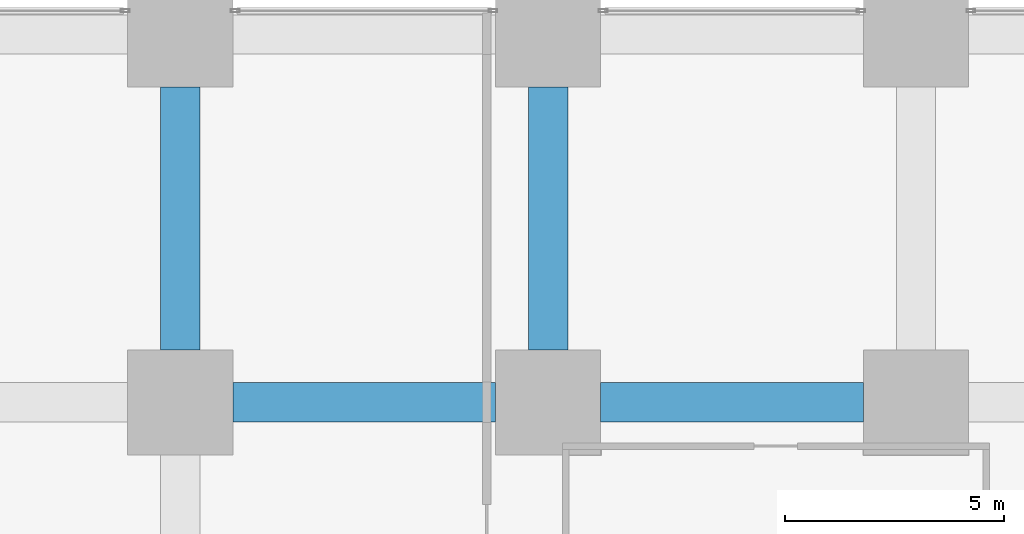
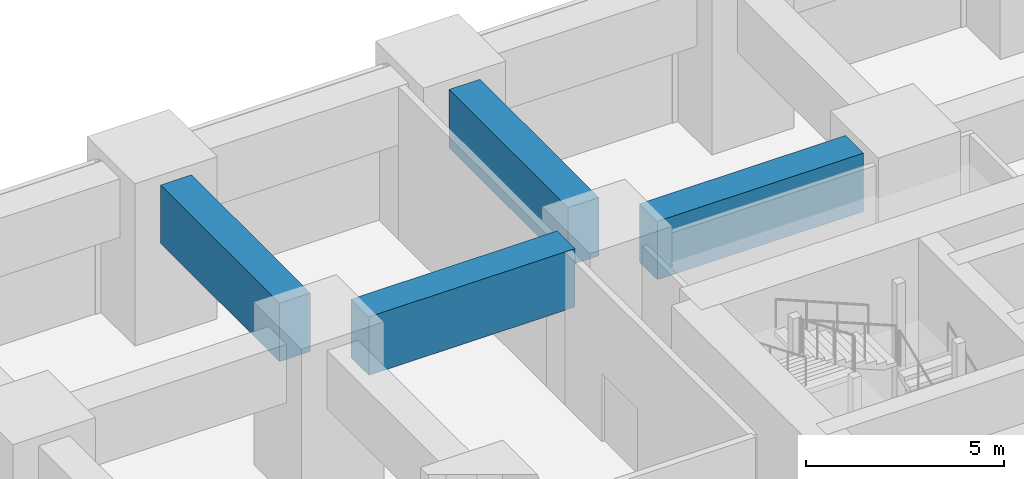
# One storey, part 24 of 48: 4 beams.
"""IFC4 building model written with IfcOpenShell, lengths in metres."""

from ifc_helpers import new_model, si_unit, direction, frame, origin, origin_2d, place, context, subcontext, project, spatial, rectangle, extrude, material, material_profile, profile_set, type_object, element, save


model = new_model("IFC4")

# Units and contexts
model_context = context("Model", 3, precision=1e-05, world=origin(), true_north=direction((0.0, 1.0)))
body_context = subcontext(model_context, "Body", "Model", "MODEL_VIEW")
ifc_project = project(units=[si_unit("LENGTHUNIT", "METRE"), si_unit("AREAUNIT", "SQUARE_METRE"), si_unit("VOLUMEUNIT", "CUBIC_METRE"), si_unit("PLANEANGLEUNIT", "RADIAN"), si_unit("MASSUNIT", "GRAM", prefix="KILO")], contexts=[model_context])

# Site, building, storey
site_placement = place(None, origin())
site = spatial("IfcSite", under=ifc_project, at=site_placement, CompositionType="ELEMENT")
building_placement = place(site_placement, origin())
building = spatial("IfcBuilding", under=site, at=building_placement, Name="Rekha Terrace Tower", CompositionType="ELEMENT")
storey_placement = place(building_placement, frame((0.0, 0.0, 15.39990234375)))
storey = spatial("IfcBuildingStorey", under=building, at=storey_placement, Name="L03", CompositionType="ELEMENT", Elevation=15.39990234375)

# Beams
ifc_material = material(Name="Concrete M60", Category="concrete")
ifc_material_profile = material_profile(ifc_material, rectangle(XDim=0.89990234375, YDim=1.800048828125, at=origin_2d()), Name="RC 900x1800")
ifc_profile_set = profile_set([ifc_material_profile], Name="Concrete M60")
beam_type = type_object("IfcBeamType", Name="G1 900x1800 podium floor beam", PredefinedType="BEAM", material=ifc_profile_set)
for number, where, z_axis, x_axis, name in (
    (1, (18.0, 50.39990234375, 3.800048828125), (1.0, 0.0, 0.0), (0.0, 1.0, 0.0), "Beam G1 3G-4G under L04"),
    (2, (16.800048828125, 51.60009765625, 3.800048828125), (0.0, 1.0, 0.0), (-1.0, 0.0, 0.0), "Beam G1 3G-3H under L04"),
    (3, (26.39990234375, 50.39990234375, 3.800048828125), (1.0, 0.0, 0.0), (0.0, 1.0, 0.0), "Beam G1 4G-5G under L04"),
    (4, (25.199951171875, 51.60009765625, 3.800048828125), (0.0, 1.0, 0.0), (-1.0, 0.0, 0.0), "Beam G1 4G-4H under L04"),
):
    element("IfcBeam", number, at=place(storey_placement, frame(where, z_axis=z_axis, x_axis=x_axis)), inside=storey, type_object=beam_type, Name=name, PredefinedType="BEAM", context=body_context, shape_type="SweptSolid", body=[
        extrude(rectangle(XDim=0.89990234375, YDim=1.800048828125, at=origin_2d()), origin(), (0.0, 0.0, 1.0), 6.0),
    ])

save(model, "model.ifc")
